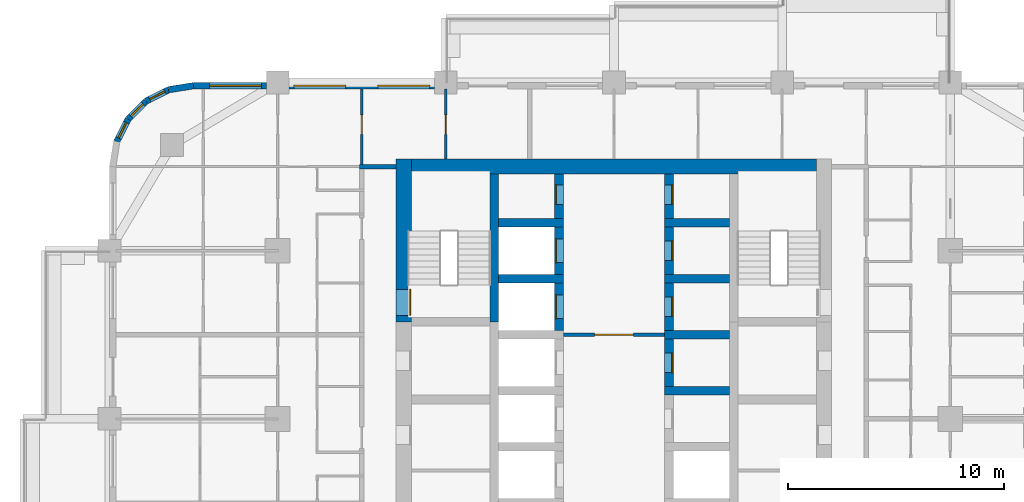
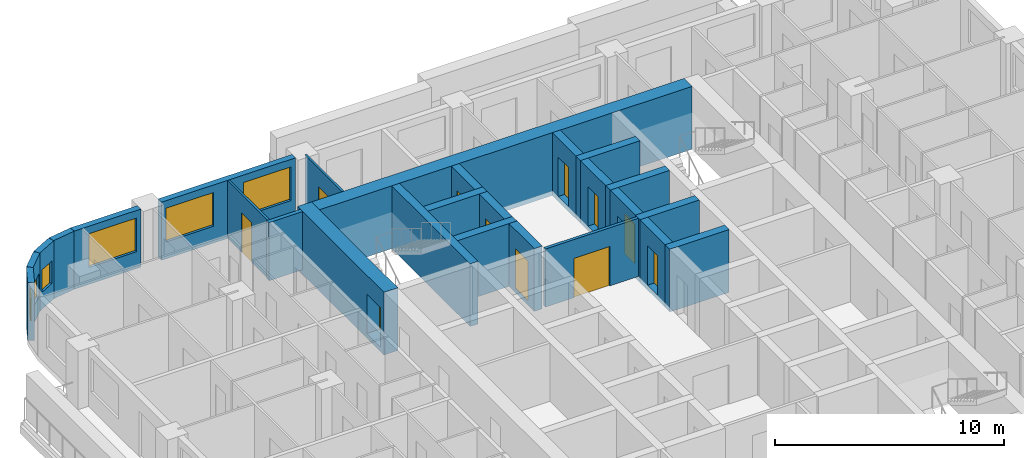
# One storey, part 11 of 17: 26 walls, 11 doors, 6 windows, 17 openings.
"""IFC4 building model written with IfcOpenShell, lengths in metres."""

import ifcopenshell
import ifcopenshell.guid

model = None  # the IFC model being written
_history = None  # IfcOwnerHistory: only IFC2X3 demands one
_inside = {}  # id of a spatial element -> (the spatial element, [elements in it])
_under = {}  # id of a project, library or spatial element -> (it, [spatial elements below it])
_declared = {}  # id of a project -> (the project, [libraries it declares])
_typed = {}  # id of a type object -> (the type object, [elements of that type])
_made_of = {}  # id of a material, layer set ... -> (it, [elements and type objects made of it])


def new_model(schema):
    """Start an empty IFC model of exactly this schema.

    Asked for "IFC4X3", IfcOpenShell would pick the latest addendum, in which some entities
    have other attributes; the version numbers below select the first issue.
    IFC2X3 requires an IfcOwnerHistory on every rooted entity: one is made here for all.
    """
    global model, _history
    if schema == "IFC4X3":
        model = ifcopenshell.file(schema_version=(4, 3, 0, 0))
    else:
        model = ifcopenshell.file(schema=schema)
    _inside.clear()
    _under.clear()
    _declared.clear()
    _typed.clear()
    _made_of.clear()
    _history = None
    if model.schema == "IFC2X3":
        org = make("IfcOrganization", Name="unknown")
        user = make(
            "IfcPersonAndOrganization",
            ThePerson=make("IfcPerson", FamilyName="unknown"),
            TheOrganization=org,
        )
        app = make(
            "IfcApplication",
            ApplicationDeveloper=org,
            Version="unknown",
            ApplicationFullName="unknown",
            ApplicationIdentifier="unknown",
        )
        _history = make(
            "IfcOwnerHistory",
            OwningUser=user,
            OwningApplication=app,
            ChangeAction="ADDED",
            CreationDate=0,
        )
    return model


def make(cls, **values):
    """One entity of the class cls with the attributes given. An attribute that is None is left unset."""
    return model.create_entity(
        cls, **{name: value for name, value in values.items() if value is not None}
    )


def rooted(cls, **values):
    """An entity with a GlobalId (a new one), such as an element, a storey or a relation."""
    return make(cls, GlobalId=ifcopenshell.guid.new(), OwnerHistory=_history, **values)


def si_unit(unit_type, name, prefix=None):
    """IfcSIUnit, for example si_unit("LENGTHUNIT", "METRE", prefix="MILLI")."""
    return make("IfcSIUnit", UnitType=unit_type, Prefix=prefix, Name=name)


def assignment(units):
    """IfcUnitAssignment: the units of a project."""
    return None if units is None else make("IfcUnitAssignment", Units=units)


def point(xyz):
    """IfcCartesianPoint."""
    return None if xyz is None else make("IfcCartesianPoint", Coordinates=xyz)


def direction(xyz):
    """IfcDirection."""
    return None if xyz is None else make("IfcDirection", DirectionRatios=xyz)


def frame(location, z_axis=None, x_axis=None):
    """IfcAxis2Placement3D, a coordinate frame: its origin and axes. An axis left out is left unset."""
    return make(
        "IfcAxis2Placement3D",
        Location=point(location),
        Axis=direction(z_axis),
        RefDirection=direction(x_axis),
    )


def frame_2d(location, x_axis=None):
    """IfcAxis2Placement2D, a coordinate frame in the plane: its origin and x axis."""
    return make(
        "IfcAxis2Placement2D", Location=point(location), RefDirection=direction(x_axis)
    )


def origin():
    """The frame at (0, 0, 0) with its axes left unset."""
    return frame((0.0, 0.0, 0.0))


def place(relative_to, where):
    """IfcLocalPlacement: puts the frame where relative to a parent placement (None: the world)."""
    return make(
        "IfcLocalPlacement", PlacementRelTo=relative_to, RelativePlacement=where
    )


def context(
    kind, dimensions, precision=None, world=None, true_north=None, identifier=None
):
    """IfcGeometricRepresentationContext, for example the 3D "Model" context."""
    return make(
        "IfcGeometricRepresentationContext",
        ContextIdentifier=identifier,
        ContextType=kind,
        CoordinateSpaceDimension=dimensions,
        Precision=precision,
        WorldCoordinateSystem=world,
        TrueNorth=true_north,
    )


def subcontext(parent, identifier, kind, view, scale=None):
    """IfcGeometricRepresentationSubContext, for example "Body" below "Model"."""
    return make(
        "IfcGeometricRepresentationSubContext",
        ContextIdentifier=identifier,
        ContextType=kind,
        ParentContext=parent,
        TargetScale=scale,
        TargetView=view,
    )


def project(units=None, contexts=None):
    """IfcProject with its units and contexts."""
    return rooted(
        "IfcProject",
        Name="project",
        RepresentationContexts=contexts,
        UnitsInContext=assignment(units),
    )


def spatial(cls, under=None, at=None, **own):
    """A site, building, storey or space (cls), placed at a placement, below another one or the project."""
    s = rooted(cls, ObjectPlacement=at, **own)
    if under is not None:
        _under.setdefault(under.id(), (under, []))[1].append(s)
    return s


def profile(cls, at=None, kind="AREA", **sizes):
    """A parametric profile (cls). Its sizes go by their IFC names, for example OverallWidth=200.0."""
    return make(cls, ProfileType=kind, Position=at, **sizes)


def rectangle(**sizes):
    """IfcRectangleProfileDef."""
    return profile("IfcRectangleProfileDef", **sizes)


def extrude(swept, where, along, depth):
    """IfcExtrudedAreaSolid: the profile swept, set in the frame where, extruded along a direction by depth."""
    return make(
        "IfcExtrudedAreaSolid",
        SweptArea=swept,
        Position=where,
        ExtrudedDirection=direction(along),
        Depth=depth,
    )


def shape(context_of_items, identifier, shape_type, items):
    """IfcShapeRepresentation: the items that make up one representation, for example the "Body"."""
    return make(
        "IfcShapeRepresentation",
        ContextOfItems=context_of_items,
        RepresentationIdentifier=identifier,
        RepresentationType=shape_type,
        Items=items,
    )


def material(Name=None, Category=None):
    """IfcMaterial."""
    return make("IfcMaterial", Name=Name, Category=Category)


def layer(
    of_material, thickness, ventilated=None, Name=None, Category=None, Priority=None
):
    """IfcMaterialLayer: one layer of a wall or slab, of a material (None: an air gap)."""
    return make(
        "IfcMaterialLayer",
        Material=of_material,
        LayerThickness=thickness,
        IsVentilated=ventilated,
        Name=Name,
        Category=Category,
        Priority=Priority,
    )


def layer_set(layers, Name=None):
    """IfcMaterialLayerSet."""
    return make("IfcMaterialLayerSet", MaterialLayers=layers, LayerSetName=Name)


def made_of(thing, what):
    """Note that an element or type object is made of a material, layer set ...; save() writes the relation."""
    if what is not None:
        _made_of.setdefault(what.id(), (what, []))[1].append(thing)
    return thing


def type_object(cls, material=None, **own):
    """A type object (cls), such as IfcWallType, which elements share."""
    return made_of(rooted(cls, **own), material)


def element(
    cls,
    number,
    at=None,
    inside=None,
    cuts=None,
    type_object=None,
    material=None,
    context=None,
    identifier="Body",
    shape_type=None,
    held_by="IfcProductDefinitionShape",
    body=None,
    shapes=None,
    **own,
):
    """One element of the class cls, such as IfcWall. Its Tag is "e" and its number.

    at: its placement. inside: the storey or other place that contains it. cuts: it is an
    opening in that element (IfcRelVoidsElement). A single representation is given by context,
    identifier, shape_type and body (its items); several are given by shapes. held_by: the class
    of the entity that holds the representations. save() writes the other relations.
    """
    e = rooted(cls, Tag="e%d" % number, ObjectPlacement=at, **own)
    if body is not None:
        shapes = [shape(context, identifier, shape_type, body)]
    if shapes is not None:
        e.Representation = make(held_by, Representations=shapes)
    if inside is not None:
        _inside.setdefault(inside.id(), (inside, []))[1].append(e)
    if cuts is not None:
        rooted(
            "IfcRelVoidsElement", RelatingBuildingElement=cuts, RelatedOpeningElement=e
        )
    if type_object is not None:
        _typed.setdefault(type_object.id(), (type_object, []))[1].append(e)
    return made_of(e, material)


def fill(opening, filler):
    """IfcRelFillsElement: the door or window that sits in an opening."""
    return rooted(
        "IfcRelFillsElement",
        RelatingOpeningElement=opening,
        RelatedBuildingElement=filler,
    )


def aggregate(whole, parts):
    """IfcRelAggregates: a whole, such as a stair, and the parts it consists of."""
    return rooted("IfcRelAggregates", RelatingObject=whole, RelatedObjects=parts)


def save(model, path):
    """Write the relations noted so far, then the file.

    IfcRelAggregates (storeys below a building ...), IfcRelContainedInSpatialStructure (elements
    in a storey), IfcRelDefinesByType, IfcRelAssociatesMaterial and IfcRelDeclares: one each for
    every whole, place, type object, material and project.
    """
    for whole, parts in _under.values():
        aggregate(whole, parts)
    for where, things in _inside.values():
        rooted(
            "IfcRelContainedInSpatialStructure",
            RelatedElements=things,
            RelatingStructure=where,
        )
    for kind, things in _typed.values():
        rooted("IfcRelDefinesByType", RelatedObjects=things, RelatingType=kind)
    for what, things in _made_of.values():
        rooted("IfcRelAssociatesMaterial", RelatedObjects=things, RelatingMaterial=what)
    for by, libraries in _declared.values():
        rooted("IfcRelDeclares", RelatingContext=by, RelatedDefinitions=libraries)
    model.write(path)


model = new_model("IFC4")

# Units and contexts
model_context = context("Model", 3, precision=1e-05, world=origin(), true_north=direction((0.0, 1.0)))
body_context = subcontext(model_context, "Body", "Model", "MODEL_VIEW")
ifc_project = project(units=[si_unit("LENGTHUNIT", "METRE"), si_unit("AREAUNIT", "SQUARE_METRE"), si_unit("VOLUMEUNIT", "CUBIC_METRE"), si_unit("PLANEANGLEUNIT", "RADIAN"), si_unit("MASSUNIT", "GRAM", prefix="KILO")], contexts=[model_context])

# Site, building, storey
site_placement = place(None, origin())
site = spatial("IfcSite", under=ifc_project, at=site_placement, CompositionType="ELEMENT")
building_placement = place(site_placement, origin())
building = spatial("IfcBuilding", under=site, at=building_placement, Name="Ludao Terraces", CompositionType="ELEMENT")
storey_placement = place(building_placement, frame((0.0, 0.0, 43.300048828125)))
storey = spatial("IfcBuildingStorey", under=building, at=storey_placement, Name="L11", CompositionType="ELEMENT", Elevation=43.300048828125)

# Wall, opening, door
ifc_material_1 = material(Name="Concrete C70", Category="concrete")
ifc_layer_1 = layer(ifc_material_1, 0.699951171875)
ifc_layer_set_1 = layer_set([ifc_layer_1], Name="Core wall 700 C70")
wall_type_1 = type_object("IfcWallType", Name="Core wall 700 C70", PredefinedType="SOLIDWALL", material=ifc_layer_set_1)
wall_1_placement = place(storey_placement, frame((75.25, 77.300048828125, -0.25), z_axis=(0.0, 0.0, 1.0), x_axis=(0.0, 1.0, 0.0)))
wall_1 = element("IfcWall", 1, at=wall_1_placement, inside=storey, type_object=wall_type_1, Name="Core wall L11 outer-W-S1", PredefinedType="SOLIDWALL", context=body_context, shape_type="SweptSolid", body=[
    extrude(rectangle(XDim=7.550048828125, YDim=0.699951171875, at=frame_2d((3.77490234375, 0.0))), origin(), (0.0, 0.0, 1.0), 3.349853515625),
])
opening_1_placement = place(wall_1_placement, frame((0.300048828125, 0.0, 0.25)))
opening_1 = element("IfcOpeningElement", 2, at=opening_1_placement, cuts=wall_1, Name="Opening R03-133", PredefinedType="OPENING", context=body_context, shape_type="SweptSolid", body=[
    extrude(rectangle(XDim=1.199951171875, YDim=2.10009765625, at=frame_2d((0.60009765625, 1.050048828125))), frame((0.0, 0.35986328125, 0.0), z_axis=(0.0, -1.0, 0.0), x_axis=(1.0, 0.0, 0.0)), (0.0, 0.0, 1.0), 0.719970703125),
])
ifc_material_2 = material(Name="Steel Q235", Category="steel")
door_type_1 = type_object("IfcDoorType", Name="INT Stair door 1200", OperationType="DOUBLE_DOOR_SINGLE_SWING", PredefinedType="DOOR", material=ifc_material_2)
door_1_placement = place(opening_1_placement, origin())
door_1 = element("IfcDoor", 3, at=door_1_placement, inside=storey, type_object=door_type_1, Name="DOOR 133", OperationType="DOUBLE_DOOR_SINGLE_SWING", OverallHeight=2.10009765625, OverallWidth=1.199951171875, PredefinedType="DOOR", context=body_context, shape_type="SweptSolid", body=[
    extrude(rectangle(XDim=1.199951171875, YDim=2.10009765625, at=frame_2d((0.60009765625, 1.050048828125))), frame((0.0, -0.28515625, 0.0), z_axis=(0.0, -1.0, 0.0), x_axis=(1.0, 0.0, 0.0)), (0.0, 0.0, 1.0), 0.050048828125),
])
fill(opening_1, door_1)

# Wall
wall_2_placement = place(storey_placement, frame((75.60009765625, 84.5, -0.25), z_axis=(0.0, 0.0, 1.0), x_axis=(1.0, 0.0, 0.0)))
element("IfcWall", 4, at=wall_2_placement, inside=storey, type_object=wall_type_1, Name="Core wall L11 outer-N", PredefinedType="SOLIDWALL", context=body_context, shape_type="SweptSolid", body=[
    extrude(rectangle(XDim=18.7998046875, YDim=0.699951171875, at=frame_2d((9.39990234375, 0.0))), origin(), (0.0, 0.0, 1.0), 3.349853515625),
])

# Wall, opening, window
ifc_material_3 = material(Name="Granite cladding", Category="masonry")
ifc_layer_2 = layer(ifc_material_3, 0.0400390625, Category="stone")
ifc_material_4 = material(Name="Mineral wool")
ifc_layer_3 = layer(ifc_material_4, 0.06005859375)
ifc_material_5 = material(Name="Concrete C40", Category="concrete")
ifc_layer_4 = layer(ifc_material_5, 0.199951171875, Category="concrete")
ifc_layer_set_2 = layer_set([ifc_layer_2, ifc_layer_3, ifc_layer_4], Name="ENV Stone-clad wall 300")
wall_type_2 = type_object("IfcWallType", Name="ENV Stone-clad wall 300", PredefinedType="SOLIDWALL", material=ifc_layer_set_2)
wall_3_placement = place(storey_placement, frame((65.5, 88.25, 0.0), z_axis=(0.0, 0.0, 1.0), x_axis=(1.0, 0.0, 0.0)))
wall_3 = element("IfcWall", 5, at=wall_3_placement, inside=storey, type_object=wall_type_2, Name="EW-L11-N1", PredefinedType="SOLIDWALL", context=body_context, shape_type="SweptSolid", body=[
    extrude(rectangle(XDim=3.375, YDim=0.300048828125, at=frame_2d((1.6875, 0.0))), origin(), (0.0, 0.0, 1.0), 3.099853515625),
])
opening_2_placement = place(wall_3_placement, frame((0.75, 0.0, 0.89990234375)))
opening_2 = element("IfcOpeningElement", 6, at=opening_2_placement, cuts=wall_3, Name="Opening W1", PredefinedType="OPENING", context=body_context, shape_type="SweptSolid", body=[
    extrude(rectangle(XDim=2.39990234375, YDim=1.800048828125, at=frame_2d((1.199951171875, 0.89990234375))), frame((0.0, 0.16015625, 0.0), z_axis=(0.0, -1.0, 0.0), x_axis=(1.0, 0.0, 0.0)), (0.0, 0.0, 1.0), 0.320068359375),
])
ifc_material_6 = material(Name="Clear glass in aluminium frame", Category="aluminium")
ifc_layer_5 = layer(ifc_material_6, 0.06005859375)
ifc_layer_set_3 = layer_set([ifc_layer_5], Name="ENV Window W1 2400x1800")
window_type_1 = type_object("IfcWindowType", Name="ENV Window W1 2400x1800", PartitioningType="DOUBLE_PANEL_VERTICAL", PredefinedType="WINDOW", material=ifc_layer_set_3)
window_1_placement = place(opening_2_placement, origin())
window_1 = element("IfcWindow", 7, at=window_1_placement, inside=storey, type_object=window_type_1, Name="W-L11-N1-1", OverallHeight=1.800048828125, OverallWidth=2.39990234375, PartitioningType="DOUBLE_PANEL_VERTICAL", PredefinedType="WINDOW", context=body_context, shape_type="SweptSolid", body=[
    extrude(rectangle(XDim=2.39990234375, YDim=1.800048828125, at=frame_2d((1.199951171875, 0.89990234375))), frame((0.0, 0.030029296875, 0.0), z_axis=(0.0, -1.0, 0.0), x_axis=(1.0, 0.0, 0.0)), (0.0, 0.0, 1.0), 0.06005859375),
])
fill(opening_2, window_1)

# Wall, openings, windows
wall_4_placement = place(storey_placement, frame((69.925048828125, 88.25, 0.0), z_axis=(0.0, 0.0, 1.0), x_axis=(1.0, 0.0, 0.0)))
wall_4 = element("IfcWall", 8, at=wall_4_placement, inside=storey, type_object=wall_type_2, Name="EW-L11-N2", PredefinedType="SOLIDWALL", context=body_context, shape_type="SweptSolid", body=[
    extrude(rectangle(XDim=6.75, YDim=0.300048828125, at=frame_2d((3.375, 0.0))), origin(), (0.0, 0.0, 1.0), 3.099853515625),
])
opening_3_placement = place(wall_4_placement, frame((0.22509765625, 0.0, 0.89990234375)))
opening_3 = element("IfcOpeningElement", 9, at=opening_3_placement, cuts=wall_4, Name="Opening W1", PredefinedType="OPENING", context=body_context, shape_type="SweptSolid", body=[
    extrude(rectangle(XDim=2.39990234375, YDim=1.800048828125, at=frame_2d((1.199951171875, 0.89990234375))), frame((0.0, 0.16015625, 0.0), z_axis=(0.0, -1.0, 0.0), x_axis=(1.0, 0.0, 0.0)), (0.0, 0.0, 1.0), 0.320068359375),
])
opening_4_placement = place(wall_4_placement, frame((4.125, 0.0, 0.89990234375)))
opening_4 = element("IfcOpeningElement", 10, at=opening_4_placement, cuts=wall_4, Name="Opening W1", PredefinedType="OPENING", context=body_context, shape_type="SweptSolid", body=[
    extrude(rectangle(XDim=2.39990234375, YDim=1.800048828125, at=frame_2d((1.199951171875, 0.89990234375))), frame((0.0, 0.16015625, 0.0), z_axis=(0.0, -1.0, 0.0), x_axis=(1.0, 0.0, 0.0)), (0.0, 0.0, 1.0), 0.320068359375),
])
window_2_placement = place(opening_3_placement, origin())
window_2 = element("IfcWindow", 11, at=window_2_placement, inside=storey, type_object=window_type_1, Name="W-L11-N2-1", OverallHeight=1.800048828125, OverallWidth=2.39990234375, PartitioningType="DOUBLE_PANEL_VERTICAL", PredefinedType="WINDOW", context=body_context, shape_type="SweptSolid", body=[
    extrude(rectangle(XDim=2.39990234375, YDim=1.800048828125, at=frame_2d((1.199951171875, 0.89990234375))), frame((0.0, 0.030029296875, 0.0), z_axis=(0.0, -1.0, 0.0), x_axis=(1.0, 0.0, 0.0)), (0.0, 0.0, 1.0), 0.06005859375),
])
fill(opening_3, window_2)
window_3_placement = place(opening_4_placement, origin())
window_3 = element("IfcWindow", 12, at=window_3_placement, inside=storey, type_object=window_type_1, Name="W-L11-N2-2", OverallHeight=1.800048828125, OverallWidth=2.39990234375, PartitioningType="DOUBLE_PANEL_VERTICAL", PredefinedType="WINDOW", context=body_context, shape_type="SweptSolid", body=[
    extrude(rectangle(XDim=2.39990234375, YDim=1.800048828125, at=frame_2d((1.199951171875, 0.89990234375))), frame((0.0, 0.030029296875, 0.0), z_axis=(0.0, -1.0, 0.0), x_axis=(1.0, 0.0, 0.0)), (0.0, 0.0, 1.0), 0.06005859375),
])
fill(opening_4, window_3)

# Wall
wall_5_placement = place(storey_placement, frame((65.5, 88.25, 0.0), z_axis=(0.0, 0.0, 1.0), x_axis=(-0.987678452879, -0.156496880861, 0.0)))
element("IfcWall", 13, at=wall_5_placement, inside=storey, type_object=wall_type_2, Name="EW-L11-NW1", PredefinedType="SOLIDWALL", context=body_context, shape_type="SweptSolid", body=[
    extrude(rectangle(XDim=1.173095703125, YDim=0.300048828125, at=frame_2d((0.58642578125, 0.0))), origin(), (0.0, 0.0, 1.0), 3.099853515625),
])

# Wall, opening, window
wall_6_placement = place(storey_placement, frame((64.34130859375, 88.06640625, 0.0), z_axis=(0.0, 0.0, 1.0), x_axis=(-0.890988677504, -0.454025524128, 0.0)))
wall_6 = element("IfcWall", 14, at=wall_6_placement, inside=storey, type_object=wall_type_2, Name="EW-L11-NW2", PredefinedType="SOLIDWALL", context=body_context, shape_type="SweptSolid", body=[
    extrude(rectangle(XDim=1.17333984375, YDim=0.300048828125, at=frame_2d((0.586669921875, 0.0))), origin(), (0.0, 0.0, 1.0), 3.099853515625),
])
opening_5_placement = place(wall_6_placement, frame((0.1865234375, 0.0, 0.89990234375)))
opening_5 = element("IfcOpeningElement", 15, at=opening_5_placement, cuts=wall_6, Name="Opening W3", PredefinedType="OPENING", context=body_context, shape_type="SweptSolid", body=[
    extrude(rectangle(XDim=0.800048828125, YDim=1.199951171875, at=frame_2d((0.39990234375, 0.60009765625))), frame((0.0, 0.16015625, 0.0), z_axis=(0.0, -1.0, 0.0), x_axis=(1.0, 0.0, 0.0)), (0.0, 0.0, 1.0), 0.320068359375),
])
ifc_layer_6 = layer(ifc_material_6, 0.06005859375)
ifc_layer_set_4 = layer_set([ifc_layer_6], Name="ENV Window W3 800x1200")
window_type_2 = type_object("IfcWindowType", Name="ENV Window W3 800x1200", PartitioningType="SINGLE_PANEL", PredefinedType="WINDOW", material=ifc_layer_set_4)
window_4_placement = place(opening_5_placement, origin())
window_4 = element("IfcWindow", 16, at=window_4_placement, inside=storey, type_object=window_type_2, Name="W-L11-NW2", OverallHeight=1.199951171875, OverallWidth=0.800048828125, PartitioningType="SINGLE_PANEL", PredefinedType="WINDOW", context=body_context, shape_type="SweptSolid", body=[
    extrude(rectangle(XDim=0.800048828125, YDim=1.199951171875, at=frame_2d((0.39990234375, 0.60009765625))), frame((0.0, 0.030029296875, 0.0), z_axis=(0.0, -1.0, 0.0), x_axis=(1.0, 0.0, 0.0)), (0.0, 0.0, 1.0), 0.06005859375),
])
fill(opening_5, window_4)

wall_7_placement = place(storey_placement, frame((63.2958984375, 87.53369140625, 0.0), z_axis=(0.0, 0.0, 1.0), x_axis=(-0.707106781187, -0.707106781187, 0.0)))
wall_7 = element("IfcWall", 17, at=wall_7_placement, inside=storey, type_object=wall_type_2, Name="EW-L11-NW3", PredefinedType="SOLIDWALL", context=body_context, shape_type="SweptSolid", body=[
    extrude(rectangle(XDim=1.173095703125, YDim=0.300048828125, at=frame_2d((0.58642578125, 0.0))), origin(), (0.0, 0.0, 1.0), 3.099853515625),
])
opening_6_placement = place(wall_7_placement, frame((0.1865234375, 0.0, 0.89990234375)))
opening_6 = element("IfcOpeningElement", 18, at=opening_6_placement, cuts=wall_7, Name="Opening W3", PredefinedType="OPENING", context=body_context, shape_type="SweptSolid", body=[
    extrude(rectangle(XDim=0.800048828125, YDim=1.199951171875, at=frame_2d((0.39990234375, 0.60009765625))), frame((0.0, 0.16015625, 0.0), z_axis=(0.0, -1.0, 0.0), x_axis=(1.0, 0.0, 0.0)), (0.0, 0.0, 1.0), 0.320068359375),
])
window_5_placement = place(opening_6_placement, origin())
window_5 = element("IfcWindow", 19, at=window_5_placement, inside=storey, type_object=window_type_2, Name="W-L11-NW3", OverallHeight=1.199951171875, OverallWidth=0.800048828125, PartitioningType="SINGLE_PANEL", PredefinedType="WINDOW", context=body_context, shape_type="SweptSolid", body=[
    extrude(rectangle(XDim=0.800048828125, YDim=1.199951171875, at=frame_2d((0.39990234375, 0.60009765625))), frame((0.0, 0.030029296875, 0.0), z_axis=(0.0, -1.0, 0.0), x_axis=(1.0, 0.0, 0.0)), (0.0, 0.0, 1.0), 0.06005859375),
])
fill(opening_6, window_5)

wall_8_placement = place(storey_placement, frame((62.46630859375, 86.7041015625, 0.0), z_axis=(0.0, 0.0, 1.0), x_axis=(-0.454025524128, -0.890988677504, 0.0)))
wall_8 = element("IfcWall", 20, at=wall_8_placement, inside=storey, type_object=wall_type_2, Name="EW-L11-NW4", PredefinedType="SOLIDWALL", context=body_context, shape_type="SweptSolid", body=[
    extrude(rectangle(XDim=1.17333984375, YDim=0.300048828125, at=frame_2d((0.586669921875, 0.0))), origin(), (0.0, 0.0, 1.0), 3.099853515625),
])
opening_7_placement = place(wall_8_placement, frame((0.1865234375, 0.0, 0.89990234375)))
opening_7 = element("IfcOpeningElement", 21, at=opening_7_placement, cuts=wall_8, Name="Opening W3", PredefinedType="OPENING", context=body_context, shape_type="SweptSolid", body=[
    extrude(rectangle(XDim=0.800048828125, YDim=1.199951171875, at=frame_2d((0.39990234375, 0.60009765625))), frame((0.0, 0.16015625, 0.0), z_axis=(0.0, -1.0, 0.0), x_axis=(1.0, 0.0, 0.0)), (0.0, 0.0, 1.0), 0.320068359375),
])
window_6_placement = place(opening_7_placement, origin())
window_6 = element("IfcWindow", 22, at=window_6_placement, inside=storey, type_object=window_type_2, Name="W-L11-NW4", OverallHeight=1.199951171875, OverallWidth=0.800048828125, PartitioningType="SINGLE_PANEL", PredefinedType="WINDOW", context=body_context, shape_type="SweptSolid", body=[
    extrude(rectangle(XDim=0.800048828125, YDim=1.199951171875, at=frame_2d((0.39990234375, 0.60009765625))), frame((0.0, 0.030029296875, 0.0), z_axis=(0.0, -1.0, 0.0), x_axis=(1.0, 0.0, 0.0)), (0.0, 0.0, 1.0), 0.06005859375),
])
fill(opening_7, window_6)

# Wall, opening, door
ifc_material_7 = material(Name="Fire-rated gypsum plasterboard", Category="gypsum")
ifc_layer_7 = layer(ifc_material_7, 0.012451171875, Category="gypsum")
ifc_layer_8 = layer(ifc_material_4, 0.10009765625, Name="insulation")
ifc_layer_9 = layer(ifc_material_2, 0.02490234375, Name="stud")
ifc_layer_10 = layer(ifc_material_7, 0.012451171875, Category="gypsum")
ifc_layer_set_5 = layer_set([ifc_layer_7, ifc_layer_8, ifc_layer_9, ifc_layer_10], Name="INT Core partition 150")
wall_type_3 = type_object("IfcWallType", Name="INT Core partition 150", PredefinedType="PARTITIONING", material=ifc_layer_set_5)
wall_9_placement = place(storey_placement, frame((82.650146484375, 76.699951171875, 0.0), z_axis=(0.0, 0.0, 1.0), x_axis=(1.0, 0.0, 0.0)))
wall_9 = element("IfcWall", 23, at=wall_9_placement, inside=storey, type_object=wall_type_3, Name="PW-L11-PW063", PredefinedType="PARTITIONING", context=body_context, shape_type="SweptSolid", body=[
    extrude(rectangle(XDim=4.699951171875, YDim=0.14990234375, at=frame_2d((2.35009765625, 0.0))), origin(), (0.0, 0.0, 1.0), 3.099853515625),
])
opening_8_placement = place(wall_9_placement, frame((1.449951171875, 0.0, 0.0)))
opening_8 = element("IfcOpeningElement", 24, at=opening_8_placement, cuts=wall_9, Name="Opening R03-127", PredefinedType="OPENING", context=body_context, shape_type="SweptSolid", body=[
    extrude(rectangle(XDim=1.800048828125, YDim=2.10009765625, at=frame_2d((0.89990234375, 1.050048828125))), frame((0.0, 0.0849609375, 0.0), z_axis=(0.0, -1.0, 0.0), x_axis=(1.0, 0.0, 0.0)), (0.0, 0.0, 1.0), 0.169921875),
])
door_type_2 = type_object("IfcDoorType", Name="INT Fire lobby door 1800", OperationType="DOUBLE_DOOR_SINGLE_SWING", PredefinedType="DOOR", material=ifc_material_2)
door_2_placement = place(opening_8_placement, origin())
door_2 = element("IfcDoor", 25, at=door_2_placement, inside=storey, type_object=door_type_2, Name="DOOR 127", OperationType="DOUBLE_DOOR_SINGLE_SWING", OverallHeight=2.10009765625, OverallWidth=1.800048828125, PredefinedType="DOOR", context=body_context, shape_type="SweptSolid", body=[
    extrude(rectangle(XDim=1.800048828125, YDim=2.10009765625, at=frame_2d((0.89990234375, 1.050048828125))), frame((0.0, 0.02490234375, 0.0), z_axis=(0.0, -1.0, 0.0), x_axis=(1.0, 0.0, 0.0)), (0.0, 0.0, 1.0), 0.050048828125),
])
fill(opening_8, door_2)

# Wall
ifc_material_8 = material(Name="Autoclaved aerated concrete block B06 A3.5", Category="concrete")
ifc_layer_11 = layer(ifc_material_8, 0.199951171875)
ifc_layer_set_6 = layer_set([ifc_layer_11], Name="INT Entrance wall 200")
wall_type_4 = type_object("IfcWallType", Name="INT Entrance wall 200", PredefinedType="PARTITIONING", material=ifc_layer_set_6)
wall_10_placement = place(storey_placement, frame((73.2001953125, 84.5, 0.0), z_axis=(0.0, 0.0, 1.0), x_axis=(1.0, 0.0, 0.0)))
element("IfcWall", 26, at=wall_10_placement, inside=storey, type_object=wall_type_4, Name="PW-L11-PW076", PredefinedType="PARTITIONING", context=body_context, shape_type="SweptSolid", body=[
    extrude(rectangle(XDim=1.699951171875, YDim=0.199951171875, at=frame_2d((0.85009765625, 0.0))), origin(), (0.0, 0.0, 1.0), 3.099853515625),
])

# Wall, opening, door
ifc_material_9 = material(Name="Gypsum plasterboard", Category="gypsum")
ifc_layer_12 = layer(ifc_material_9, 0.012451171875, Category="gypsum")
ifc_layer_13 = layer(ifc_material_4, 0.06005859375, Name="insulation")
ifc_layer_14 = layer(ifc_material_2, 0.014892578125, Name="stud")
ifc_layer_15 = layer(ifc_material_9, 0.012451171875, Category="gypsum")
ifc_layer_set_7 = layer_set([ifc_layer_12, ifc_layer_13, ifc_layer_14, ifc_layer_15], Name="INT Partition 100")
wall_type_5 = type_object("IfcWallType", Name="INT Partition 100", PredefinedType="PARTITIONING", material=ifc_layer_set_7)
wall_11_placement = place(storey_placement, frame((73.300048828125, 84.60009765625, 0.0), z_axis=(0.0, 0.0, 1.0), x_axis=(0.0, 1.0, 0.0)))
wall_11 = element("IfcWall", 27, at=wall_11_placement, inside=storey, type_object=wall_type_5, Name="PW-L11-PW091", PredefinedType="PARTITIONING", context=body_context, shape_type="SweptSolid", body=[
    extrude(rectangle(XDim=3.5, YDim=0.10009765625, at=frame_2d((1.75, 0.0))), origin(), (0.0, 0.0, 1.0), 3.099853515625),
])
opening_9_placement = place(wall_11_placement, frame((1.39990234375, 0.0, 0.0)))
opening_9 = element("IfcOpeningElement", 28, at=opening_9_placement, cuts=wall_11, Name="Opening R03-157", PredefinedType="OPENING", context=body_context, shape_type="SweptSolid", body=[
    extrude(rectangle(XDim=0.89990234375, YDim=2.10009765625, at=frame_2d((0.449951171875, 1.050048828125))), frame((0.0, 0.06005859375, 0.0), z_axis=(0.0, -1.0, 0.0), x_axis=(1.0, 0.0, 0.0)), (0.0, 0.0, 1.0), 0.1201171875),
])
ifc_material_10 = material(Name="Timber door leaf", Category="wood")
door_type_3 = type_object("IfcDoorType", Name="INT Room door 900", OperationType="SINGLE_SWING_LEFT", PredefinedType="DOOR", material=ifc_material_10)
door_3_placement = place(opening_9_placement, origin())
door_3 = element("IfcDoor", 29, at=door_3_placement, inside=storey, type_object=door_type_3, Name="DOOR 157", OperationType="SINGLE_SWING_LEFT", OverallHeight=2.10009765625, OverallWidth=0.89990234375, PredefinedType="DOOR", context=body_context, shape_type="SweptSolid", body=[
    extrude(rectangle(XDim=0.89990234375, YDim=2.10009765625, at=frame_2d((0.449951171875, 1.050048828125))), frame((0.0, 0.02490234375, 0.0), z_axis=(0.0, -1.0, 0.0), x_axis=(1.0, 0.0, 0.0)), (0.0, 0.0, 1.0), 0.050048828125),
])
fill(opening_9, door_3)

wall_12_placement = place(storey_placement, frame((77.199951171875, 84.85009765625, 0.0), z_axis=(0.0, 0.0, 1.0), x_axis=(0.0, 1.0, 0.0)))
wall_12 = element("IfcWall", 30, at=wall_12_placement, inside=storey, type_object=wall_type_5, Name="PW-L11-PW095", PredefinedType="PARTITIONING", context=body_context, shape_type="SweptSolid", body=[
    extrude(rectangle(XDim=3.25, YDim=0.10009765625, at=frame_2d((1.625, 0.0))), origin(), (0.0, 0.0, 1.0), 3.099853515625),
])
opening_10_placement = place(wall_12_placement, frame((1.14990234375, 0.0, 0.0)))
opening_10 = element("IfcOpeningElement", 31, at=opening_10_placement, cuts=wall_12, Name="Opening R03-158", PredefinedType="OPENING", context=body_context, shape_type="SweptSolid", body=[
    extrude(rectangle(XDim=0.89990234375, YDim=2.10009765625, at=frame_2d((0.449951171875, 1.050048828125))), frame((0.0, 0.06005859375, 0.0), z_axis=(0.0, -1.0, 0.0), x_axis=(1.0, 0.0, 0.0)), (0.0, 0.0, 1.0), 0.1201171875),
])
door_4_placement = place(opening_10_placement, origin())
door_4 = element("IfcDoor", 32, at=door_4_placement, inside=storey, type_object=door_type_3, Name="DOOR 158", OperationType="SINGLE_SWING_RIGHT", OverallHeight=2.10009765625, OverallWidth=0.89990234375, PredefinedType="DOOR", context=body_context, shape_type="SweptSolid", body=[
    extrude(rectangle(XDim=0.89990234375, YDim=2.10009765625, at=frame_2d((0.449951171875, 1.050048828125))), frame((0.0, 0.02490234375, 0.0), z_axis=(0.0, -1.0, 0.0), x_axis=(1.0, 0.0, 0.0)), (0.0, 0.0, 1.0), 0.050048828125),
])
fill(opening_10, door_4)

# Wall
ifc_material_11 = material(Name="Concrete C60", Category="concrete")
ifc_layer_16 = layer(ifc_material_11, 0.39990234375)
ifc_layer_set_8 = layer_set([ifc_layer_16], Name="Shaft wall 400 C60")
wall_type_6 = type_object("IfcWallType", Name="Shaft wall 400 C60", PredefinedType="SOLIDWALL", material=ifc_layer_set_8)
wall_13_placement = place(storey_placement, frame((79.449951171875, 77.300048828125, -0.25), z_axis=(0.0, 0.0, 1.0), x_axis=(0.0, 1.0, 0.0)))
element("IfcWall", 33, at=wall_13_placement, inside=storey, type_object=wall_type_6, Name="Core wall L11 back-W-S1", PredefinedType="SOLIDWALL", context=body_context, shape_type="SweptSolid", body=[
    extrude(rectangle(XDim=6.849853515625, YDim=0.39990234375, at=frame_2d((3.4248046875, 0.0))), origin(), (0.0, 0.0, 1.0), 3.349853515625),
])

# Wall, opening, door
wall_14_placement = place(storey_placement, frame((82.449951171875, 76.89990234375, -0.25), z_axis=(0.0, 0.0, 1.0), x_axis=(0.0, 1.0, 0.0)))
wall_14 = element("IfcWall", 34, at=wall_14_placement, inside=storey, type_object=wall_type_6, Name="Core wall L11 front-W7", PredefinedType="SOLIDWALL", context=body_context, shape_type="SweptSolid", body=[
    extrude(rectangle(XDim=2.2001953125, YDim=0.39990234375, at=frame_2d((1.10009765625, 0.0))), origin(), (0.0, 0.0, 1.0), 3.349853515625),
])
opening_11_placement = place(wall_14_placement, frame((0.550048828125, 0.0, 0.25)))
opening_11 = element("IfcOpeningElement", 35, at=opening_11_placement, cuts=wall_14, Name="Opening LD-FF1", PredefinedType="OPENING", context=body_context, shape_type="SweptSolid", body=[
    extrude(rectangle(XDim=1.10009765625, YDim=2.10009765625, at=frame_2d((0.550048828125, 1.050048828125))), frame((0.0, 0.2099609375, 0.0), z_axis=(0.0, -1.0, 0.0), x_axis=(1.0, 0.0, 0.0)), (0.0, 0.0, 1.0), 0.419921875),
])
ifc_material_12 = material(Name="Stainless steel 304", Category="steel")
door_type_4 = type_object("IfcDoorType", Name="INT Lift landing door 1100", OperationType="SLIDING_TO_LEFT", PredefinedType="DOOR", material=ifc_material_12)
door_5_placement = place(opening_11_placement, origin())
door_5 = element("IfcDoor", 36, at=door_5_placement, inside=storey, type_object=door_type_4, Name="LANDING DOOR FF1 L11", OperationType="SLIDING_TO_LEFT", OverallHeight=2.10009765625, OverallWidth=1.10009765625, PredefinedType="DOOR", context=body_context, shape_type="SweptSolid", body=[
    extrude(rectangle(XDim=1.10009765625, YDim=2.10009765625, at=frame_2d((0.550048828125, 1.050048828125))), frame((0.0, 0.18505859375, 0.0), z_axis=(0.0, -1.0, 0.0), x_axis=(1.0, 0.0, 0.0)), (0.0, 0.0, 1.0), 0.050048828125),
])
fill(opening_11, door_5)

# Wall
wall_15_placement = place(storey_placement, frame((79.64990234375, 79.300048828125, -0.25), z_axis=(0.0, 0.0, 1.0), x_axis=(1.0, 0.0, 0.0)))
element("IfcWall", 37, at=wall_15_placement, inside=storey, type_object=wall_type_6, Name="Core wall L11 div-W8", PredefinedType="SOLIDWALL", context=body_context, shape_type="SweptSolid", body=[
    extrude(rectangle(XDim=3.0, YDim=0.39990234375, at=frame_2d((1.5, 0.0))), origin(), (0.0, 0.0, 1.0), 3.349853515625),
])

# Wall, opening, door
wall_16_placement = place(storey_placement, frame((82.449951171875, 79.5, -0.25), z_axis=(0.0, 0.0, 1.0), x_axis=(0.0, 1.0, 0.0)))
wall_16 = element("IfcWall", 38, at=wall_16_placement, inside=storey, type_object=wall_type_6, Name="Core wall L11 front-W8", PredefinedType="SOLIDWALL", context=body_context, shape_type="SweptSolid", body=[
    extrude(rectangle(XDim=2.199951171875, YDim=0.39990234375, at=frame_2d((1.10009765625, 0.0))), origin(), (0.0, 0.0, 1.0), 3.349853515625),
])
opening_12_placement = place(wall_16_placement, frame((0.550048828125, 0.0, 0.25)))
opening_12 = element("IfcOpeningElement", 39, at=opening_12_placement, cuts=wall_16, Name="Opening LD-FF2", PredefinedType="OPENING", context=body_context, shape_type="SweptSolid", body=[
    extrude(rectangle(XDim=1.10009765625, YDim=2.10009765625, at=frame_2d((0.550048828125, 1.050048828125))), frame((0.0, 0.2099609375, 0.0), z_axis=(0.0, -1.0, 0.0), x_axis=(1.0, 0.0, 0.0)), (0.0, 0.0, 1.0), 0.419921875),
])
door_6_placement = place(opening_12_placement, origin())
door_6 = element("IfcDoor", 40, at=door_6_placement, inside=storey, type_object=door_type_4, Name="LANDING DOOR FF2 L11", OperationType="SLIDING_TO_LEFT", OverallHeight=2.10009765625, OverallWidth=1.10009765625, PredefinedType="DOOR", context=body_context, shape_type="SweptSolid", body=[
    extrude(rectangle(XDim=1.10009765625, YDim=2.10009765625, at=frame_2d((0.550048828125, 1.050048828125))), frame((0.0, 0.18505859375, 0.0), z_axis=(0.0, -1.0, 0.0), x_axis=(1.0, 0.0, 0.0)), (0.0, 0.0, 1.0), 0.050048828125),
])
fill(opening_12, door_6)

# Wall
wall_17_placement = place(storey_placement, frame((79.64990234375, 81.89990234375, -0.25), z_axis=(0.0, 0.0, 1.0), x_axis=(1.0, 0.0, 0.0)))
element("IfcWall", 41, at=wall_17_placement, inside=storey, type_object=wall_type_6, Name="Core wall L11 div-W9", PredefinedType="SOLIDWALL", context=body_context, shape_type="SweptSolid", body=[
    extrude(rectangle(XDim=3.0, YDim=0.39990234375, at=frame_2d((1.5, 0.0))), origin(), (0.0, 0.0, 1.0), 3.349853515625),
])

# Wall, opening, door
wall_18_placement = place(storey_placement, frame((82.449951171875, 82.10009765625, -0.25), z_axis=(0.0, 0.0, 1.0), x_axis=(0.0, 1.0, 0.0)))
wall_18 = element("IfcWall", 42, at=wall_18_placement, inside=storey, type_object=wall_type_6, Name="Core wall L11 front-W9", PredefinedType="SOLIDWALL", context=body_context, shape_type="SweptSolid", body=[
    extrude(rectangle(XDim=2.0498046875, YDim=0.39990234375, at=frame_2d((1.02490234375, 0.0))), origin(), (0.0, 0.0, 1.0), 3.349853515625),
])
opening_13_placement = place(wall_18_placement, frame((0.64990234375, 0.0, 0.25)))
opening_13 = element("IfcOpeningElement", 43, at=opening_13_placement, cuts=wall_18, Name="Opening R03-149", PredefinedType="OPENING", context=body_context, shape_type="SweptSolid", body=[
    extrude(rectangle(XDim=0.89990234375, YDim=2.10009765625, at=frame_2d((0.449951171875, 1.050048828125))), frame((0.0, 0.2099609375, 0.0), z_axis=(0.0, -1.0, 0.0), x_axis=(1.0, 0.0, 0.0)), (0.0, 0.0, 1.0), 0.419921875),
])
door_7_placement = place(opening_13_placement, origin())
door_7 = element("IfcDoor", 44, at=door_7_placement, inside=storey, type_object=door_type_3, Name="DOOR 149", OperationType="SINGLE_SWING_RIGHT", OverallHeight=2.10009765625, OverallWidth=0.89990234375, PredefinedType="DOOR", context=body_context, shape_type="SweptSolid", body=[
    extrude(rectangle(XDim=0.89990234375, YDim=2.10009765625, at=frame_2d((0.449951171875, 1.050048828125))), frame((0.0, 0.18505859375, 0.0), z_axis=(0.0, -1.0, 0.0), x_axis=(1.0, 0.0, 0.0)), (0.0, 0.0, 1.0), 0.050048828125),
])
fill(opening_13, door_7)

# Wall
wall_19_placement = place(storey_placement, frame((87.35009765625, 74.10009765625, -0.25), z_axis=(0.0, 0.0, 1.0), x_axis=(1.0, 0.0, 0.0)))
element("IfcWall", 45, at=wall_19_placement, inside=storey, type_object=wall_type_6, Name="Core wall L11 div-E6", PredefinedType="SOLIDWALL", context=body_context, shape_type="SweptSolid", body=[
    extrude(rectangle(XDim=3.0, YDim=0.39990234375, at=frame_2d((1.5, 0.0))), origin(), (0.0, 0.0, 1.0), 3.349853515625),
])

# Wall, opening, door
wall_20_placement = place(storey_placement, frame((87.550048828125, 74.300048828125, -0.25), z_axis=(0.0, 0.0, 1.0), x_axis=(0.0, 1.0, 0.0)))
wall_20 = element("IfcWall", 46, at=wall_20_placement, inside=storey, type_object=wall_type_6, Name="Core wall L11 front-E6", PredefinedType="SOLIDWALL", context=body_context, shape_type="SweptSolid", body=[
    extrude(rectangle(XDim=2.199951171875, YDim=0.39990234375, at=frame_2d((1.10009765625, 0.0))), origin(), (0.0, 0.0, 1.0), 3.349853515625),
])
opening_14_placement = place(wall_20_placement, frame((0.64990234375, 0.0, 0.25)))
opening_14 = element("IfcOpeningElement", 47, at=opening_14_placement, cuts=wall_20, Name="Opening R03-118", PredefinedType="OPENING", context=body_context, shape_type="SweptSolid", body=[
    extrude(rectangle(XDim=0.89990234375, YDim=2.10009765625, at=frame_2d((0.449951171875, 1.050048828125))), frame((0.0, 0.2099609375, 0.0), z_axis=(0.0, -1.0, 0.0), x_axis=(1.0, 0.0, 0.0)), (0.0, 0.0, 1.0), 0.419921875),
])
door_8_placement = place(opening_14_placement, origin())
door_8 = element("IfcDoor", 48, at=door_8_placement, inside=storey, type_object=door_type_3, Name="DOOR 118", OperationType="SINGLE_SWING_RIGHT", OverallHeight=2.10009765625, OverallWidth=0.89990234375, PredefinedType="DOOR", context=body_context, shape_type="SweptSolid", body=[
    extrude(rectangle(XDim=0.89990234375, YDim=2.10009765625, at=frame_2d((0.449951171875, 1.050048828125))), frame((0.0, -0.134765625, 0.0), z_axis=(0.0, -1.0, 0.0), x_axis=(1.0, 0.0, 0.0)), (0.0, 0.0, 1.0), 0.050048828125),
])
fill(opening_14, door_8)

# Wall
wall_21_placement = place(storey_placement, frame((87.35009765625, 76.699951171875, -0.25), z_axis=(0.0, 0.0, 1.0), x_axis=(1.0, 0.0, 0.0)))
element("IfcWall", 49, at=wall_21_placement, inside=storey, type_object=wall_type_6, Name="Core wall L11 div-E7", PredefinedType="SOLIDWALL", context=body_context, shape_type="SweptSolid", body=[
    extrude(rectangle(XDim=3.0, YDim=0.39990234375, at=frame_2d((1.5, 0.0))), origin(), (0.0, 0.0, 1.0), 3.349853515625),
])

# Wall, opening, door
wall_22_placement = place(storey_placement, frame((87.550048828125, 76.89990234375, -0.25), z_axis=(0.0, 0.0, 1.0), x_axis=(0.0, 1.0, 0.0)))
wall_22 = element("IfcWall", 50, at=wall_22_placement, inside=storey, type_object=wall_type_6, Name="Core wall L11 front-E7", PredefinedType="SOLIDWALL", context=body_context, shape_type="SweptSolid", body=[
    extrude(rectangle(XDim=2.2001953125, YDim=0.39990234375, at=frame_2d((1.10009765625, 0.0))), origin(), (0.0, 0.0, 1.0), 3.349853515625),
])
opening_15_placement = place(wall_22_placement, frame((0.64990234375, 0.0, 0.25)))
opening_15 = element("IfcOpeningElement", 51, at=opening_15_placement, cuts=wall_22, Name="Opening R03-132", PredefinedType="OPENING", context=body_context, shape_type="SweptSolid", body=[
    extrude(rectangle(XDim=0.89990234375, YDim=2.10009765625, at=frame_2d((0.449951171875, 1.050048828125))), frame((0.0, 0.2099609375, 0.0), z_axis=(0.0, -1.0, 0.0), x_axis=(1.0, 0.0, 0.0)), (0.0, 0.0, 1.0), 0.419921875),
])
door_9_placement = place(opening_15_placement, origin())
door_9 = element("IfcDoor", 52, at=door_9_placement, inside=storey, type_object=door_type_3, Name="DOOR 132", OperationType="SINGLE_SWING_RIGHT", OverallHeight=2.10009765625, OverallWidth=0.89990234375, PredefinedType="DOOR", context=body_context, shape_type="SweptSolid", body=[
    extrude(rectangle(XDim=0.89990234375, YDim=2.10009765625, at=frame_2d((0.449951171875, 1.050048828125))), frame((0.0, -0.134765625, 0.0), z_axis=(0.0, -1.0, 0.0), x_axis=(1.0, 0.0, 0.0)), (0.0, 0.0, 1.0), 0.050048828125),
])
fill(opening_15, door_9)

# Wall
wall_23_placement = place(storey_placement, frame((87.35009765625, 79.300048828125, -0.25), z_axis=(0.0, 0.0, 1.0), x_axis=(1.0, 0.0, 0.0)))
element("IfcWall", 53, at=wall_23_placement, inside=storey, type_object=wall_type_6, Name="Core wall L11 div-E8", PredefinedType="SOLIDWALL", context=body_context, shape_type="SweptSolid", body=[
    extrude(rectangle(XDim=3.0, YDim=0.39990234375, at=frame_2d((1.5, 0.0))), origin(), (0.0, 0.0, 1.0), 3.349853515625),
])

# Wall, opening, door
wall_24_placement = place(storey_placement, frame((87.550048828125, 79.5, -0.25), z_axis=(0.0, 0.0, 1.0), x_axis=(0.0, 1.0, 0.0)))
wall_24 = element("IfcWall", 54, at=wall_24_placement, inside=storey, type_object=wall_type_6, Name="Core wall L11 front-E8", PredefinedType="SOLIDWALL", context=body_context, shape_type="SweptSolid", body=[
    extrude(rectangle(XDim=2.199951171875, YDim=0.39990234375, at=frame_2d((1.10009765625, 0.0))), origin(), (0.0, 0.0, 1.0), 3.349853515625),
])
opening_16_placement = place(wall_24_placement, frame((0.64990234375, 0.0, 0.25)))
opening_16 = element("IfcOpeningElement", 55, at=opening_16_placement, cuts=wall_24, Name="Opening R03-140", PredefinedType="OPENING", context=body_context, shape_type="SweptSolid", body=[
    extrude(rectangle(XDim=0.89990234375, YDim=2.10009765625, at=frame_2d((0.449951171875, 1.050048828125))), frame((0.0, 0.2099609375, 0.0), z_axis=(0.0, -1.0, 0.0), x_axis=(1.0, 0.0, 0.0)), (0.0, 0.0, 1.0), 0.419921875),
])
door_10_placement = place(opening_16_placement, origin())
door_10 = element("IfcDoor", 56, at=door_10_placement, inside=storey, type_object=door_type_3, Name="DOOR 140", OperationType="SINGLE_SWING_LEFT", OverallHeight=2.10009765625, OverallWidth=0.89990234375, PredefinedType="DOOR", context=body_context, shape_type="SweptSolid", body=[
    extrude(rectangle(XDim=0.89990234375, YDim=2.10009765625, at=frame_2d((0.449951171875, 1.050048828125))), frame((0.0, -0.134765625, 0.0), z_axis=(0.0, -1.0, 0.0), x_axis=(1.0, 0.0, 0.0)), (0.0, 0.0, 1.0), 0.050048828125),
])
fill(opening_16, door_10)

# Wall
wall_25_placement = place(storey_placement, frame((87.35009765625, 81.89990234375, -0.25), z_axis=(0.0, 0.0, 1.0), x_axis=(1.0, 0.0, 0.0)))
element("IfcWall", 57, at=wall_25_placement, inside=storey, type_object=wall_type_6, Name="Core wall L11 div-E9", PredefinedType="SOLIDWALL", context=body_context, shape_type="SweptSolid", body=[
    extrude(rectangle(XDim=3.0, YDim=0.39990234375, at=frame_2d((1.5, 0.0))), origin(), (0.0, 0.0, 1.0), 3.349853515625),
])

# Wall, opening, door
wall_26_placement = place(storey_placement, frame((87.550048828125, 82.10009765625, -0.25), z_axis=(0.0, 0.0, 1.0), x_axis=(0.0, 1.0, 0.0)))
wall_26 = element("IfcWall", 58, at=wall_26_placement, inside=storey, type_object=wall_type_6, Name="Core wall L11 front-E9", PredefinedType="SOLIDWALL", context=body_context, shape_type="SweptSolid", body=[
    extrude(rectangle(XDim=2.0498046875, YDim=0.39990234375, at=frame_2d((1.02490234375, 0.0))), origin(), (0.0, 0.0, 1.0), 3.349853515625),
])
opening_17_placement = place(wall_26_placement, frame((0.64990234375, 0.0, 0.25)))
opening_17 = element("IfcOpeningElement", 59, at=opening_17_placement, cuts=wall_26, Name="Opening R03-150", PredefinedType="OPENING", context=body_context, shape_type="SweptSolid", body=[
    extrude(rectangle(XDim=0.89990234375, YDim=2.10009765625, at=frame_2d((0.449951171875, 1.050048828125))), frame((0.0, 0.2099609375, 0.0), z_axis=(0.0, -1.0, 0.0), x_axis=(1.0, 0.0, 0.0)), (0.0, 0.0, 1.0), 0.419921875),
])
door_11_placement = place(opening_17_placement, origin())
door_11 = element("IfcDoor", 60, at=door_11_placement, inside=storey, type_object=door_type_3, Name="DOOR 150", OperationType="SINGLE_SWING_LEFT", OverallHeight=2.10009765625, OverallWidth=0.89990234375, PredefinedType="DOOR", context=body_context, shape_type="SweptSolid", body=[
    extrude(rectangle(XDim=0.89990234375, YDim=2.10009765625, at=frame_2d((0.449951171875, 1.050048828125))), frame((0.0, -0.134765625, 0.0), z_axis=(0.0, -1.0, 0.0), x_axis=(1.0, 0.0, 0.0)), (0.0, 0.0, 1.0), 0.050048828125),
])
fill(opening_17, door_11)

save(model, "model.ifc")
